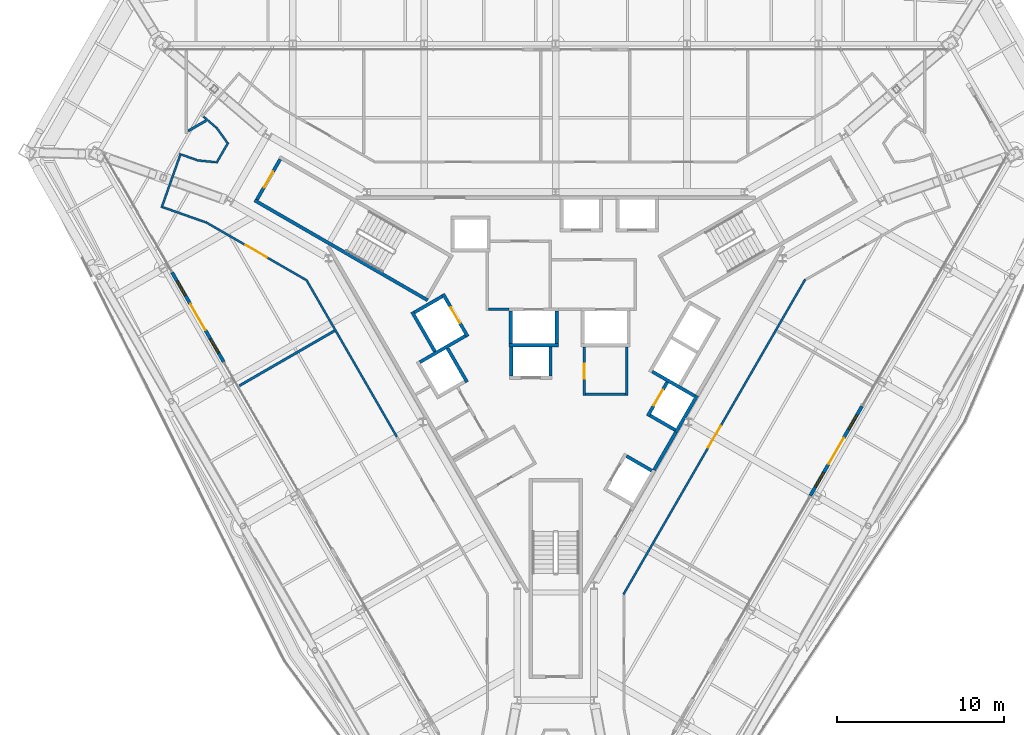
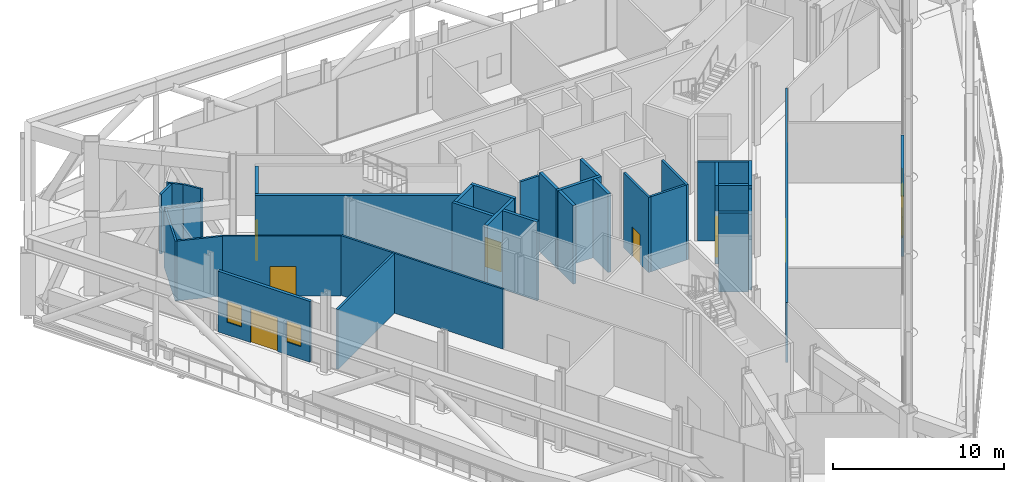
# One storey, part 17 of 26: 36 walls, 8 doors, 4 windows, 12 openings.
"""IFC4 building model written with IfcOpenShell, lengths in metres."""

from ifc_helpers import new_model, si_unit, direction, frame, frame_2d, origin, place, context, subcontext, project, spatial, rectangle, extrude, material, layer, layer_set, type_object, element, fill, save


model = new_model("IFC4")

# Units and contexts
model_context = context("Model", 3, precision=1e-05, world=origin(), true_north=direction((0.0, 1.0)))
body_context = subcontext(model_context, "Body", "Model", "MODEL_VIEW")
ifc_project = project(units=[si_unit("LENGTHUNIT", "METRE"), si_unit("AREAUNIT", "SQUARE_METRE"), si_unit("VOLUMEUNIT", "CUBIC_METRE"), si_unit("PLANEANGLEUNIT", "RADIAN"), si_unit("MASSUNIT", "GRAM", prefix="KILO")], contexts=[model_context])

# Site, building, storey
site_placement = place(None, origin())
site = spatial("IfcSite", under=ifc_project, at=site_placement, CompositionType="ELEMENT")
building_placement = place(site_placement, origin())
building = spatial("IfcBuilding", under=site, at=building_placement, Name="Verrane Prism Tower", CompositionType="ELEMENT")
storey_placement = place(building_placement, frame((0.0, 0.0, 87.199951171875)))
storey = spatial("IfcBuildingStorey", under=building, at=storey_placement, Name="L20", CompositionType="ELEMENT", Elevation=87.199951171875)

# Wall
ifc_material_1 = material(Name="Gypsum board partition", Category="other")
ifc_layer_1 = layer(ifc_material_1, 0.199951171875)
ifc_layer_set_1 = layer_set([ifc_layer_1], Name="CW-200 core boundary wall 2 h")
wall_type_1 = type_object("IfcWallType", Name="CW-200 core boundary wall 2 h", PredefinedType="PARTITIONING", material=ifc_layer_set_1)
wall_1_placement = place(storey_placement, frame((5.906005859375, -7.489990234375, 0.0), z_axis=(0.0, 0.0, 1.0), x_axis=(0.500252727967, 0.865879442048, 0.0)))
element("IfcWall", 1, at=wall_1_placement, inside=storey, type_object=wall_type_1, Name="Core boundary wall CW3-005", PredefinedType="PARTITIONING", context=body_context, shape_type="SweptSolid", body=[
    extrude(rectangle(XDim=2.616943359375, YDim=0.199951171875, at=frame_2d((1.30859375, 0.0))), origin(), (0.0, 0.0, 1.0), 5.35009765625),
])

# Wall, opening, door
ifc_material_2 = material(Name="Concrete C40/50", Category="concrete")
ifc_layer_2 = layer(ifc_material_2, 0.199951171875)
ifc_layer_set_2 = layer_set([ifc_layer_2], Name="CW-200 stair core wall concrete C40/50 3 h")
wall_type_2 = type_object("IfcWallType", Name="CW-200 stair core wall concrete C40/50 3 h", PredefinedType="PARTITIONING", material=ifc_layer_set_2)
wall_2_placement = place(storey_placement, frame((-16.533935546875, 11.162353515625, 0.0), z_axis=(0.0, 0.0, 1.0), x_axis=(-0.49998411664, -0.866034573852, 0.0)))
wall_2 = element("IfcWall", 2, at=wall_2_placement, inside=storey, type_object=wall_type_2, Name="Stair 2 enclosure wall", PredefinedType="PARTITIONING", context=body_context, shape_type="SweptSolid", body=[
    extrude(rectangle(XDim=2.7998046875, YDim=0.199951171875, at=frame_2d((1.39990234375, 0.0))), origin(), (0.0, 0.0, 1.0), 5.35009765625),
])
opening_1_placement = place(wall_2_placement, frame((0.849853515625, 0.0, 0.0)))
opening_1 = element("IfcOpeningElement", 3, at=opening_1_placement, cuts=wall_2, Name="Opening D20501", PredefinedType="OPENING", context=body_context, shape_type="SweptSolid", body=[
    extrude(rectangle(XDim=1.10009765625, YDim=2.10009765625, at=frame_2d((0.550048828125, 1.050048828125))), frame((0.0, 0.10986328125, 0.0), z_axis=(0.0, -1.0, 0.0), x_axis=(1.0, 0.0, 0.0)), (0.0, 0.0, 1.0), 0.219970703125),
])
ifc_material_3 = material(Name="Timber veneered door leaf", Category="wood")
door_type_1 = type_object("IfcDoorType", Name="DR-1100x2100 FD90 single leaf stair", OperationType="NOTDEFINED", PredefinedType="DOOR", material=ifc_material_3)
door_1_placement = place(opening_1_placement, origin())
door_1 = element("IfcDoor", 4, at=door_1_placement, inside=storey, type_object=door_type_1, Name="Stair 2 door", OperationType="SINGLE_SWING_RIGHT", OverallHeight=2.10009765625, OverallWidth=1.10009765625, PredefinedType="DOOR", context=body_context, shape_type="SweptSolid", body=[
    extrude(rectangle(XDim=1.10009765625, YDim=2.10009765625, at=frame_2d((0.550048828125, 1.050048828125))), frame((0.0, 0.02490234375, 0.0), z_axis=(0.0, -1.0, 0.0), x_axis=(1.0, 0.0, 0.0)), (0.0, 0.0, 1.0), 0.050048828125),
])
fill(opening_1, door_1)

# Walls
wall_3_placement = place(storey_placement, frame((-7.67822265625, 2.700927734375, 0.0), z_axis=(0.0, 0.0, 1.0), x_axis=(-0.866026010844, 0.49999894854, 0.0)))
element("IfcWall", 5, at=wall_3_placement, inside=storey, type_object=wall_type_2, Name="Stair 2 enclosure wall", PredefinedType="PARTITIONING", context=body_context, shape_type="SweptSolid", body=[
    extrude(rectangle(XDim=12.0, YDim=0.199951171875, at=frame_2d((6.0, 0.0))), origin(), (0.0, 0.0, 1.0), 5.35009765625),
])
ifc_material_4 = material(Name="Gypsum board shaft wall assembly", Category="other")
ifc_layer_3 = layer(ifc_material_4, 0.199951171875)
ifc_layer_set_3 = layer_set([ifc_layer_3], Name="HW-200 lift shaft wall 2 h")
wall_type_3 = type_object("IfcWallType", Name="HW-200 lift shaft wall 2 h", PredefinedType="PARTITIONING", material=ifc_layer_set_3)
wall_4_placement = place(storey_placement, frame((-2.784912109375, 0.0, 0.0), z_axis=(0.0, 0.0, 1.0), x_axis=(1.0, 0.0, 0.0)))
element("IfcWall", 6, at=wall_4_placement, inside=storey, type_object=wall_type_3, Name="Lift shaft wall", PredefinedType="PARTITIONING", context=body_context, shape_type="SweptSolid", body=[
    extrude(rectangle(XDim=2.949951171875, YDim=0.199951171875, at=frame_2d((1.47509765625, 0.0))), origin(), (0.0, 0.0, 1.0), 5.60009765625),
])
wall_5_placement = place(storey_placement, frame((-8.14453125, -1.012939453125, 0.0), z_axis=(0.0, 0.0, 1.0), x_axis=(0.866016494683, 0.500015430699, 0.0)))
element("IfcWall", 7, at=wall_5_placement, inside=storey, type_object=wall_type_3, Name="Lift shaft wall", PredefinedType="PARTITIONING", context=body_context, shape_type="SweptSolid", body=[
    extrude(rectangle(XDim=3.14990234375, YDim=0.199951171875, at=frame_2d((1.574951171875, 0.0))), origin(), (0.0, 0.0, 1.0), 5.60009765625),
])
wall_6_placement = place(storey_placement, frame((-8.48046875, 1.968505859375, 0.0), z_axis=(0.0, 0.0, 1.0), x_axis=(0.866000020948, 0.500043961785, 0.0)))
element("IfcWall", 8, at=wall_6_placement, inside=storey, type_object=wall_type_3, Name="Lift shaft wall", PredefinedType="PARTITIONING", context=body_context, shape_type="SweptSolid", body=[
    extrude(rectangle(XDim=1.949951171875, YDim=0.199951171875, at=frame_2d((0.97509765625, 0.0))), origin(), (0.0, 0.0, 1.0), 5.60009765625),
])
wall_7_placement = place(storey_placement, frame((7.215576171875, -5.222412109375, 0.0), z_axis=(0.0, 0.0, 1.0), x_axis=(0.499990435942, 0.866030925526, 0.0)))
element("IfcWall", 9, at=wall_7_placement, inside=storey, type_object=wall_type_3, Name="Lift shaft wall", PredefinedType="PARTITIONING", context=body_context, shape_type="SweptSolid", body=[
    extrude(rectangle(XDim=2.5498046875, YDim=0.199951171875, at=frame_2d((1.27490234375, 0.0))), origin(), (0.0, 0.0, 1.0), 5.60009765625),
])

# Wall, opening, door
wall_8_placement = place(storey_placement, frame((5.52685546875, -4.247314453125, 0.0), z_axis=(0.0, 0.0, 1.0), x_axis=(0.499938297808, 0.866061024631, 0.0)))
wall_8 = element("IfcWall", 10, at=wall_8_placement, inside=storey, type_object=wall_type_3, Name="Lift shaft wall", PredefinedType="PARTITIONING", context=body_context, shape_type="SweptSolid", body=[
    extrude(rectangle(XDim=2.349853515625, YDim=0.199951171875, at=frame_2d((1.1748046875, 0.0))), origin(), (0.0, 0.0, 1.0), 5.60009765625),
])
opening_2_placement = place(wall_8_placement, frame((0.72509765625, 0.0, 0.0)))
opening_2 = element("IfcOpeningElement", 11, at=opening_2_placement, cuts=wall_8, Name="Opening D20507", PredefinedType="OPENING", context=body_context, shape_type="SweptSolid", body=[
    extrude(rectangle(XDim=1.10009765625, YDim=2.10009765625, at=frame_2d((0.550048828125, 1.050048828125))), frame((0.0, 0.10986328125, 0.0), z_axis=(0.0, -1.0, 0.0), x_axis=(1.0, 0.0, 0.0)), (0.0, 0.0, 1.0), 0.219970703125),
])
ifc_material_5 = material(Name="Stainless steel sliding landing door", Category="steel")
door_type_2 = type_object("IfcDoorType", Name="LD-1100x2100 lift landing door FD90 sliding", OperationType="NOTDEFINED", PredefinedType="DOOR", material=ifc_material_5)
door_2_placement = place(opening_2_placement, origin())
door_2 = element("IfcDoor", 12, at=door_2_placement, inside=storey, type_object=door_type_2, Name="Bank A lift 5 landing door", OperationType="SLIDING_TO_LEFT", OverallHeight=2.10009765625, OverallWidth=1.10009765625, PredefinedType="DOOR", context=body_context, shape_type="SweptSolid", body=[
    extrude(rectangle(XDim=1.10009765625, YDim=2.10009765625, at=frame_2d((0.550048828125, 1.050048828125))), frame((0.0, 0.02490234375, 0.0), z_axis=(0.0, -1.0, 0.0), x_axis=(1.0, 0.0, 0.0)), (0.0, 0.0, 1.0), 0.050048828125),
])
fill(opening_2, door_2)

# Walls
wall_9_placement = place(storey_placement, frame((0.06494140625, 0.10009765625, 0.0), z_axis=(0.0, 0.0, 1.0), x_axis=(0.0, 1.0, 0.0)))
element("IfcWall", 13, at=wall_9_placement, inside=storey, type_object=wall_type_3, Name="Lift shaft wall", PredefinedType="PARTITIONING", context=body_context, shape_type="SweptSolid", body=[
    extrude(rectangle(XDim=1.949951171875, YDim=0.199951171875, at=frame_2d((0.97509765625, 0.0))), origin(), (0.0, 0.0, 1.0), 5.60009765625),
])
for number, where, z_axis, x_axis, name in (
    (14, (-0.304931640625, -1.85009765625, 0.0), (0.0, 0.0, 1.0), (0.0, 1.0, 0.0), "Lift shaft wall"),
    (15, (-2.655029296875, -1.85009765625, 0.0), (0.0, 0.0, 1.0), (0.0, 1.0, 0.0), "Lift shaft wall"),
):
    element("IfcWall", number, at=place(storey_placement, frame(where, z_axis=z_axis, x_axis=x_axis)), inside=storey, type_object=wall_type_3, Name=name, PredefinedType="PARTITIONING", context=body_context, shape_type="SweptSolid", body=[
        extrude(rectangle(XDim=1.75, YDim=0.199951171875, at=frame_2d((0.875, 0.0))), origin(), (0.0, 0.0, 1.0), 5.60009765625),
    ])
wall_10_placement = place(storey_placement, frame((-2.68505859375, 0.10009765625, 0.0), z_axis=(0.0, 0.0, 1.0), x_axis=(0.0, 1.0, 0.0)))
element("IfcWall", 16, at=wall_10_placement, inside=storey, type_object=wall_type_3, Name="Lift shaft wall", PredefinedType="PARTITIONING", context=body_context, shape_type="SweptSolid", body=[
    extrude(rectangle(XDim=1.949951171875, YDim=0.199951171875, at=frame_2d((0.97509765625, 0.0))), origin(), (0.0, 0.0, 1.0), 5.60009765625),
])

# Wall, opening, door
wall_11_placement = place(storey_placement, frame((-5.280029296875, 0.525390625, 0.0), z_axis=(0.0, 0.0, 1.0), x_axis=(-0.500037662692, 0.866003658127, 0.0)))
wall_11 = element("IfcWall", 17, at=wall_11_placement, inside=storey, type_object=wall_type_3, Name="Lift shaft wall", PredefinedType="PARTITIONING", context=body_context, shape_type="SweptSolid", body=[
    extrude(rectangle(XDim=2.949951171875, YDim=0.199951171875, at=frame_2d((1.47509765625, 0.0))), origin(), (0.0, 0.0, 1.0), 5.60009765625),
])
opening_3_placement = place(wall_11_placement, frame((0.925048828125, 0.0, 0.0)))
opening_3 = element("IfcOpeningElement", 18, at=opening_3_placement, cuts=wall_11, Name="Opening D20510", PredefinedType="OPENING", context=body_context, shape_type="SweptSolid", body=[
    extrude(rectangle(XDim=1.10009765625, YDim=2.10009765625, at=frame_2d((0.550048828125, 1.050048828125))), frame((0.0, 0.10986328125, 0.0), z_axis=(0.0, -1.0, 0.0), x_axis=(1.0, 0.0, 0.0)), (0.0, 0.0, 1.0), 0.219970703125),
])
door_3_placement = place(opening_3_placement, origin())
door_3 = element("IfcDoor", 19, at=door_3_placement, inside=storey, type_object=door_type_2, Name="Service lift 1 landing door", OperationType="SLIDING_TO_LEFT", OverallHeight=2.10009765625, OverallWidth=1.10009765625, PredefinedType="DOOR", context=body_context, shape_type="SweptSolid", body=[
    extrude(rectangle(XDim=1.10009765625, YDim=2.10009765625, at=frame_2d((0.550048828125, 1.050048828125))), frame((0.0, 0.02490234375, 0.0), z_axis=(0.0, -1.0, 0.0), x_axis=(1.0, 0.0, 0.0)), (0.0, 0.0, 1.0), 0.050048828125),
])
fill(opening_3, door_3)

# Walls
wall_12_placement = place(storey_placement, frame((-5.317626953125, -2.209716796875, 0.0), z_axis=(0.0, 0.0, 1.0), x_axis=(-0.499938297808, 0.866061024631, 0.0)))
element("IfcWall", 20, at=wall_12_placement, inside=storey, type_object=wall_type_3, Name="Lift shaft wall", PredefinedType="PARTITIONING", context=body_context, shape_type="SweptSolid", body=[
    extrude(rectangle(XDim=2.349853515625, YDim=0.199951171875, at=frame_2d((1.1748046875, 0.0))), origin(), (0.0, 0.0, 1.0), 5.60009765625),
])
wall_13_placement = place(storey_placement, frame((-7.241943359375, -0.37646484375, 0.0), z_axis=(0.0, 0.0, 1.0), x_axis=(-0.499996545922, 0.866027397988, 0.0)))
element("IfcWall", 21, at=wall_13_placement, inside=storey, type_object=wall_type_3, Name="Lift shaft wall", PredefinedType="PARTITIONING", context=body_context, shape_type="SweptSolid", body=[
    extrude(rectangle(XDim=2.75, YDim=0.199951171875, at=frame_2d((1.375, 0.0))), origin(), (0.0, 0.0, 1.0), 5.60009765625),
])
wall_14_placement = place(storey_placement, frame((8.35400390625, -3.050537109375, 0.0), z_axis=(0.0, 0.0, 1.0), x_axis=(-0.866060182126, 0.499939757307, 0.0)))
element("IfcWall", 22, at=wall_14_placement, inside=storey, type_object=wall_type_3, Name="Lift shaft wall", PredefinedType="PARTITIONING", context=body_context, shape_type="SweptSolid", body=[
    extrude(rectangle(XDim=2.949951171875, YDim=0.199951171875, at=frame_2d((1.47509765625, 0.0))), origin(), (0.0, 0.0, 1.0), 5.60009765625),
])
wall_15_placement = place(storey_placement, frame((7.178955078125, -5.085693359375, 0.0), z_axis=(0.0, 0.0, 1.0), x_axis=(-0.866036909293, 0.499980071345, 0.0)))
element("IfcWall", 23, at=wall_15_placement, inside=storey, type_object=wall_type_3, Name="Lift shaft wall", PredefinedType="PARTITIONING", context=body_context, shape_type="SweptSolid", body=[
    extrude(rectangle(XDim=1.75, YDim=0.199951171875, at=frame_2d((0.875, 0.0))), origin(), (0.0, 0.0, 1.0), 5.60009765625),
])
wall_16_placement = place(storey_placement, frame((5.768798828125, -7.528076171875, 0.0), z_axis=(0.0, 0.0, 1.0), x_axis=(-0.866002029911, 0.500040482552, 0.0)))
element("IfcWall", 24, at=wall_16_placement, inside=storey, type_object=wall_type_3, Name="Lift shaft wall", PredefinedType="PARTITIONING", context=body_context, shape_type="SweptSolid", body=[
    extrude(rectangle(XDim=1.749755859375, YDim=0.199951171875, at=frame_2d((0.875, 0.0))), origin(), (0.0, 0.0, 1.0), 5.60009765625),
])
ifc_material_6 = material(Name="Gypsum board partition", Category="other")
ifc_layer_4 = layer(ifc_material_6, 0.14990234375)
ifc_layer_set_4 = layer_set([ifc_layer_4], Name="LF-150 firefighting lobby wall 1 h")
wall_type_4 = type_object("IfcWallType", Name="LF-150 firefighting lobby wall 1 h", PredefinedType="PARTITIONING", material=ifc_layer_set_4)
wall_17_placement = place(storey_placement, frame((-4.02490234375, 2.159912109375, 0.0), z_axis=(0.0, 0.0, 1.0), x_axis=(1.0, 0.0, 0.0)))
element("IfcWall", 25, at=wall_17_placement, inside=storey, type_object=wall_type_4, Name="Firefighting lobby wall LF1-002", PredefinedType="PARTITIONING", context=body_context, shape_type="SweptSolid", body=[
    extrude(rectangle(XDim=1.23779296875, YDim=0.14990234375, at=frame_2d((0.618896484375, 0.0))), origin(), (0.0, 0.0, 1.0), 5.35009765625),
])
ifc_material_7 = material(Name="Gypsum board partition", Category="other")
ifc_layer_5 = layer(ifc_material_7, 0.125)
ifc_layer_set_5 = layer_set([ifc_layer_5], Name="PW-125 corridor wall 1 h")
wall_type_5 = type_object("IfcWallType", Name="PW-125 corridor wall 1 h", PredefinedType="PARTITIONING", material=ifc_layer_set_5)
wall_18_placement = place(storey_placement, frame((-23.65380859375, 8.25, 0.0), z_axis=(0.0, 0.0, 1.0), x_axis=(0.332735538655, 0.943020180757, 0.0)))
element("IfcWall", 26, at=wall_18_placement, inside=storey, type_object=wall_type_5, Name="Corridor wall 001", PredefinedType="PARTITIONING", context=body_context, shape_type="SweptSolid", body=[
    extrude(rectangle(XDim=3.472900390625, YDim=0.125, at=frame_2d((1.736328125, 0.0))), origin(), (0.0, 0.0, 1.0), 4.261962890625),
])
wall_19_placement = place(storey_placement, frame((-23.57177734375, 8.287353515625, 0.0), z_axis=(0.0, 0.0, 1.0), x_axis=(0.942973633361, -0.332867431249, 0.0)))
element("IfcWall", 27, at=wall_19_placement, inside=storey, type_object=wall_type_5, Name="Corridor wall 002", PredefinedType="PARTITIONING", context=body_context, shape_type="SweptSolid", body=[
    extrude(rectangle(XDim=2.698974609375, YDim=0.125, at=frame_2d((1.349609375, 0.0))), origin(), (0.0, 0.0, 1.0), 4.261962890625),
])
wall_20_placement = place(storey_placement, frame((-22.457763671875, 11.4443359375, 0.0), z_axis=(0.0, 0.0, 1.0), x_axis=(0.942994942742, -0.332807058161, 0.0)))
element("IfcWall", 28, at=wall_20_placement, inside=storey, type_object=wall_type_5, Name="Corridor wall 003", PredefinedType="PARTITIONING", context=body_context, shape_type="SweptSolid", body=[
    extrude(rectangle(XDim=0.977783203125, YDim=0.125, at=frame_2d((0.48876953125, 0.0))), origin(), (0.0, 0.0, 1.0), 4.261962890625),
])
wall_21_placement = place(storey_placement, frame((-21.527099609375, 11.100341796875, 0.0), z_axis=(0.0, 0.0, 1.0), x_axis=(0.994917271195, -0.100695697415, 0.0)))
element("IfcWall", 29, at=wall_21_placement, inside=storey, type_object=wall_type_5, Name="Corridor wall 006", PredefinedType="PARTITIONING", context=body_context, shape_type="SweptSolid", body=[
    extrude(rectangle(XDim=1.115234375, YDim=0.125, at=frame_2d((0.5576171875, 0.0))), origin(), (0.0, 0.0, 1.0), 4.261962890625),
])
wall_22_placement = place(storey_placement, frame((-21.138671875, 13.724609375, 0.0), z_axis=(0.0, 0.0, 1.0), x_axis=(0.759679514404, -0.650297651383, 0.0)))
element("IfcWall", 30, at=wall_22_placement, inside=storey, type_object=wall_type_5, Name="Corridor wall 007", PredefinedType="PARTITIONING", context=body_context, shape_type="SweptSolid", body=[
    extrude(rectangle(XDim=0.9775390625, YDim=0.125, at=frame_2d((0.48876953125, 0.0))), origin(), (0.0, 0.0, 1.0), 4.261962890625),
])

# Wall, opening, door
wall_23_placement = place(storey_placement, frame((-15.021728515625, 3.9443359375, 0.0), z_axis=(0.0, 0.0, 1.0), x_axis=(-0.866435403895, 0.49928918562, 0.0)))
wall_23 = element("IfcWall", 31, at=wall_23_placement, inside=storey, type_object=wall_type_5, Name="Corridor wall 009", PredefinedType="PARTITIONING", context=body_context, shape_type="SweptSolid", body=[
    extrude(rectangle(XDim=6.91162109375, YDim=0.125, at=frame_2d((3.455810546875, 0.0))), origin(), (0.0, 0.0, 1.0), 4.261962890625),
])
opening_4_placement = place(wall_23_placement, frame((2.649169921875, 0.0, 0.0)))
opening_4 = element("IfcOpeningElement", 32, at=opening_4_placement, cuts=wall_23, Name="Opening D20006", PredefinedType="OPENING", context=body_context, shape_type="SweptSolid", body=[
    extrude(rectangle(XDim=1.5, YDim=2.10009765625, at=frame_2d((0.75, 1.050048828125))), frame((0.0, 0.072509765625, 0.0), z_axis=(0.0, -1.0, 0.0), x_axis=(1.0, 0.0, 0.0)), (0.0, 0.0, 1.0), 0.14501953125),
])
ifc_material_8 = material(Name="Timber veneered door leaf", Category="wood")
door_type_3 = type_object("IfcDoorType", Name="DR-1500x2100 FD60 double leaf unit", OperationType="NOTDEFINED", PredefinedType="DOOR", material=ifc_material_8)
door_4_placement = place(opening_4_placement, origin())
door_4 = element("IfcDoor", 33, at=door_4_placement, inside=storey, type_object=door_type_3, Name="Refuge Area door", OperationType="DOUBLE_DOOR_SINGLE_SWING", OverallHeight=2.10009765625, OverallWidth=1.5, PredefinedType="DOOR", context=body_context, shape_type="SweptSolid", body=[
    extrude(rectangle(XDim=1.5, YDim=2.10009765625, at=frame_2d((0.75, 1.050048828125))), frame((0.0, 0.02490234375, 0.0), z_axis=(0.0, -1.0, 0.0), x_axis=(1.0, 0.0, 0.0)), (0.0, 0.0, 1.0), 0.050048828125),
])
fill(opening_4, door_4)

# Walls
wall_24_placement = place(storey_placement, frame((-20.37548828125, 13.0908203125, 0.0), z_axis=(0.0, 0.0, 1.0), x_axis=(0.584241196602, -0.811580078731, 0.0)))
element("IfcWall", 34, at=wall_24_placement, inside=storey, type_object=wall_type_5, Name="Corridor wall 010", PredefinedType="PARTITIONING", context=body_context, shape_type="SweptSolid", body=[
    extrude(rectangle(XDim=1.113525390625, YDim=0.125, at=frame_2d((0.556640625, 0.0))), origin(), (0.0, 0.0, 1.0), 4.261962890625),
])
wall_25_placement = place(storey_placement, frame((-20.369384765625, 10.92578125, 0.0), z_axis=(0.0, 0.0, 1.0), x_axis=(0.500429691499, 0.865777179109, 0.0)))
element("IfcWall", 35, at=wall_25_placement, inside=storey, type_object=wall_type_5, Name="Corridor wall 011", PredefinedType="PARTITIONING", context=body_context, shape_type="SweptSolid", body=[
    extrude(rectangle(XDim=1.444091796875, YDim=0.125, at=frame_2d((0.72216796875, 0.0))), origin(), (0.0, 0.0, 1.0), 4.261962890625),
])
wall_26_placement = place(storey_placement, frame((-14.979248046875, 3.9560546875, 0.0), z_axis=(0.0, 0.0, 1.0), x_axis=(0.499335058772, -0.866408967568, 0.0)))
element("IfcWall", 36, at=wall_26_placement, inside=storey, type_object=wall_type_5, Name="Corridor wall 015", PredefinedType="PARTITIONING", context=body_context, shape_type="SweptSolid", body=[
    extrude(rectangle(XDim=10.912841796875, YDim=0.125, at=frame_2d((5.45654296875, 0.0))), origin(), (0.0, 0.0, 1.0), 4.261962890625),
])

# Wall, opening, door
wall_27_placement = place(storey_placement, frame((14.979248046875, 3.9560546875, 0.0), z_axis=(0.0, 0.0, 1.0), x_axis=(-0.499707610415, -0.866194149191, 0.0)))
wall_27 = element("IfcWall", 37, at=wall_27_placement, inside=storey, type_object=wall_type_5, Name="Corridor wall 033", PredefinedType="PARTITIONING", context=body_context, shape_type="SweptSolid", body=[
    extrude(rectangle(XDim=21.83349609375, YDim=0.125, at=frame_2d((10.916748046875, 0.0))), origin(), (0.0, 0.0, 1.0), 4.261962890625),
])
opening_5_placement = place(wall_27_placement, frame((10.15625, 0.0, 0.0)))
opening_5 = element("IfcOpeningElement", 38, at=opening_5_placement, cuts=wall_27, Name="Opening D20010", PredefinedType="OPENING", context=body_context, shape_type="SweptSolid", body=[
    extrude(rectangle(XDim=1.5, YDim=2.10009765625, at=frame_2d((0.75, 1.050048828125))), frame((0.0, 0.072509765625, 0.0), z_axis=(0.0, -1.0, 0.0), x_axis=(1.0, 0.0, 0.0)), (0.0, 0.0, 1.0), 0.14501953125),
])
door_5_placement = place(opening_5_placement, origin())
door_5 = element("IfcDoor", 39, at=door_5_placement, inside=storey, type_object=door_type_3, Name="Refuge Area door", OperationType="DOUBLE_DOOR_SINGLE_SWING", OverallHeight=2.10009765625, OverallWidth=1.5, PredefinedType="DOOR", context=body_context, shape_type="SweptSolid", body=[
    extrude(rectangle(XDim=1.5, YDim=2.10009765625, at=frame_2d((0.75, 1.050048828125))), frame((0.0, 0.02490234375, 0.0), z_axis=(0.0, -1.0, 0.0), x_axis=(1.0, 0.0, 0.0)), (0.0, 0.0, 1.0), 0.050048828125),
])
fill(opening_5, door_5)

# Walls
ifc_material_9 = material(Name="Gypsum board partition", Category="other")
ifc_layer_6 = layer(ifc_material_9, 0.14990234375)
ifc_layer_set_6 = layer_set([ifc_layer_6], Name="PW-150 demising wall 1 h")
wall_type_6 = type_object("IfcWallType", Name="PW-150 demising wall 1 h", PredefinedType="PARTITIONING", material=ifc_layer_set_6)
wall_28_placement = place(storey_placement, frame((-22.055419921875, 12.864013671875, 0.0), z_axis=(0.0, 0.0, 1.0), x_axis=(0.86601746898, 0.500013743233, 0.0)))
element("IfcWall", 40, at=wall_28_placement, inside=storey, type_object=wall_type_6, Name="Demising wall 005", PredefinedType="PARTITIONING", context=body_context, shape_type="SweptSolid", body=[
    extrude(rectangle(XDim=1.2333984375, YDim=0.14990234375, at=frame_2d((0.61669921875, 0.0))), origin(), (0.0, 0.0, 1.0), 4.261962890625),
])
wall_29_placement = place(storey_placement, frame((-18.984619140625, -2.427734375, 0.0), z_axis=(0.0, 0.0, 1.0), x_axis=(0.866064687971, 0.499931951619, 0.0)))
element("IfcWall", 41, at=wall_29_placement, inside=storey, type_object=wall_type_6, Name="Demising wall 013", PredefinedType="PARTITIONING", context=body_context, shape_type="SweptSolid", body=[
    extrude(rectangle(XDim=6.5908203125, YDim=0.14990234375, at=frame_2d((3.29541015625, 0.0))), origin(), (0.0, 0.0, 1.0), 4.261962890625),
])

# Wall, opening, door
ifc_material_10 = material(Name="Gypsum board partition", Category="other")
ifc_layer_7 = layer(ifc_material_10, 0.14990234375)
ifc_layer_set_7 = layer_set([ifc_layer_7], Name="RS-150 riser enclosure wall 1 h")
wall_type_7 = type_object("IfcWallType", Name="RS-150 riser enclosure wall 1 h", PredefinedType="PARTITIONING", material=ifc_layer_set_7)
wall_30_placement = place(storey_placement, frame((1.72509765625, -0.10205078125, 0.0), z_axis=(0.0, 0.0, 1.0), x_axis=(0.0, -1.0, 0.0)))
wall_30 = element("IfcWall", 42, at=wall_30_placement, inside=storey, type_object=wall_type_7, Name="Riser wall RS3-008", PredefinedType="PARTITIONING", context=body_context, shape_type="SweptSolid", body=[
    extrude(rectangle(XDim=2.9228515625, YDim=0.14990234375, at=frame_2d((1.46142578125, 0.0))), origin(), (0.0, 0.0, 1.0), 5.35009765625),
])
opening_6_placement = place(wall_30_placement, frame((0.998046875, 0.0, 0.0)))
opening_6 = element("IfcOpeningElement", 43, at=opening_6_placement, cuts=wall_30, Name="Opening D20518", PredefinedType="OPENING", context=body_context, shape_type="SweptSolid", body=[
    extrude(rectangle(XDim=0.89990234375, YDim=2.10009765625, at=frame_2d((0.449951171875, 1.050048828125))), frame((0.0, 0.0849609375, 0.0), z_axis=(0.0, -1.0, 0.0), x_axis=(1.0, 0.0, 0.0)), (0.0, 0.0, 1.0), 0.169921875),
])
ifc_material_11 = material(Name="Timber veneered door leaf", Category="wood")
door_type_4 = type_object("IfcDoorType", Name="DR-900x2100 FD20 single leaf store", OperationType="NOTDEFINED", PredefinedType="DOOR", material=ifc_material_11)
door_6_placement = place(opening_6_placement, origin())
door_6 = element("IfcDoor", 44, at=door_6_placement, inside=storey, type_object=door_type_4, Name="Room door D20518", OperationType="SINGLE_SWING_LEFT", OverallHeight=2.10009765625, OverallWidth=0.89990234375, PredefinedType="DOOR", context=body_context, shape_type="SweptSolid", body=[
    extrude(rectangle(XDim=0.89990234375, YDim=2.10009765625, at=frame_2d((0.449951171875, 1.050048828125))), frame((0.0, 0.02490234375, 0.0), z_axis=(0.0, -1.0, 0.0), x_axis=(1.0, 0.0, 0.0)), (0.0, 0.0, 1.0), 0.050048828125),
])
fill(opening_6, door_6)

# Walls
wall_31_placement = place(storey_placement, frame((1.800048828125, -2.949951171875, 0.0), z_axis=(0.0, 0.0, 1.0), x_axis=(1.0, 0.0, 0.0)))
element("IfcWall", 45, at=wall_31_placement, inside=storey, type_object=wall_type_7, Name="Riser wall RS3-009", PredefinedType="PARTITIONING", context=body_context, shape_type="SweptSolid", body=[
    extrude(rectangle(XDim=2.39990234375, YDim=0.14990234375, at=frame_2d((1.199951171875, 0.0))), origin(), (0.0, 0.0, 1.0), 5.35009765625),
])
wall_32_placement = place(storey_placement, frame((4.27490234375, -3.02490234375, 0.0), z_axis=(0.0, 0.0, 1.0), x_axis=(0.0, 1.0, 0.0)))
element("IfcWall", 46, at=wall_32_placement, inside=storey, type_object=wall_type_7, Name="Riser wall RS3-010", PredefinedType="PARTITIONING", context=body_context, shape_type="SweptSolid", body=[
    extrude(rectangle(XDim=2.9228515625, YDim=0.14990234375, at=frame_2d((1.46142578125, 0.0))), origin(), (0.0, 0.0, 1.0), 5.35009765625),
])

# Wall, openings, door, windows
ifc_material_12 = material(Name="Aluminium framed insulated glazing", Category="aluminium")
ifc_layer_8 = layer(ifc_material_12, 0.199951171875)
ifc_layer_set_8 = layer_set([ifc_layer_8], Name="Refuge screen wall 200")
wall_type_8 = type_object("IfcWallType", Name="Refuge screen wall 200", PredefinedType="SOLIDWALL", material=ifc_layer_set_8)
wall_33_placement = place(storey_placement, frame((-23.021728515625, 4.372802734375, 0.0), z_axis=(0.0, 0.0, 1.0), x_axis=(0.500009909098, -0.866019682689, 0.0)))
wall_33 = element("IfcWall", 47, at=wall_33_placement, inside=storey, type_object=wall_type_8, Name="Refuge screen wall south-west face L20", PredefinedType="SOLIDWALL", context=body_context, shape_type="SweptSolid", body=[
    extrude(rectangle(XDim=6.199951171875, YDim=0.199951171875, at=frame_2d((3.10009765625, 0.0))), origin(), (0.0, 0.0, 1.0), 4.322509765625),
])
opening_7_placement = place(wall_33_placement, frame((0.60009765625, 0.0, 0.89990234375)))
opening_7 = element("IfcOpeningElement", 48, at=opening_7_placement, cuts=wall_33, Name="Opening W20703", PredefinedType="OPENING", context=body_context, shape_type="SweptSolid", body=[
    extrude(rectangle(XDim=1.0, YDim=1.5, at=frame_2d((0.5, 0.75))), frame((0.0, 0.10986328125, 0.0), z_axis=(0.0, -1.0, 0.0), x_axis=(1.0, 0.0, 0.0)), (0.0, 0.0, 1.0), 0.219970703125),
])
opening_8_placement = place(wall_33_placement, frame((2.199951171875, 0.0, 0.0)))
opening_8 = element("IfcOpeningElement", 49, at=opening_8_placement, cuts=wall_33, Name="Opening D20703", PredefinedType="OPENING", context=body_context, shape_type="SweptSolid", body=[
    extrude(rectangle(XDim=1.800048828125, YDim=2.39990234375, at=frame_2d((0.89990234375, 1.199951171875))), frame((0.0, 0.10986328125, 0.0), z_axis=(0.0, -1.0, 0.0), x_axis=(1.0, 0.0, 0.0)), (0.0, 0.0, 1.0), 0.219970703125),
])
opening_9_placement = place(wall_33_placement, frame((4.60009765625, 0.0, 0.89990234375)))
opening_9 = element("IfcOpeningElement", 50, at=opening_9_placement, cuts=wall_33, Name="Opening W20704", PredefinedType="OPENING", context=body_context, shape_type="SweptSolid", body=[
    extrude(rectangle(XDim=1.0, YDim=1.5, at=frame_2d((0.5, 0.75))), frame((0.0, 0.10986328125, 0.0), z_axis=(0.0, -1.0, 0.0), x_axis=(1.0, 0.0, 0.0)), (0.0, 0.0, 1.0), 0.219970703125),
])
ifc_material_13 = material(Name="Aluminium framed glazing", Category="aluminium")
door_type_5 = type_object("IfcDoorType", Name="DR-1800x2400 double glazed garden door", OperationType="DOUBLE_DOOR_SINGLE_SWING", PredefinedType="DOOR", material=ifc_material_13)
door_7_placement = place(opening_8_placement, frame((1.800048828125, 0.0, 0.0), z_axis=(0.0, 0.0, 1.0), x_axis=(-1.0, 0.0, 0.0)))
door_7 = element("IfcDoor", 51, at=door_7_placement, inside=storey, type_object=door_type_5, Name="Refuge terrace door D20703", OperationType="DOUBLE_DOOR_SINGLE_SWING", OverallHeight=2.39990234375, OverallWidth=1.800048828125, PredefinedType="DOOR", context=body_context, shape_type="SweptSolid", body=[
    extrude(rectangle(XDim=1.800048828125, YDim=2.39990234375, at=frame_2d((0.89990234375, 1.199951171875))), frame((0.0, 0.02490234375, 0.0), z_axis=(0.0, -1.0, 0.0), x_axis=(1.0, 0.0, 0.0)), (0.0, 0.0, 1.0), 0.050048828125),
])
fill(opening_8, door_7)
ifc_material_14 = material(Name="Aluminium framed glazing", Category="aluminium")
window_type = type_object("IfcWindowType", Name="Vent window 1000x1500 top hung", PartitioningType="SINGLE_PANEL", PredefinedType="WINDOW", material=ifc_material_14)
window_1_placement = place(opening_7_placement, origin())
window_1 = element("IfcWindow", 52, at=window_1_placement, inside=storey, type_object=window_type, Name="Vent window W20703", OverallHeight=1.5, OverallWidth=1.0, PartitioningType="SINGLE_PANEL", PredefinedType="WINDOW", context=body_context, shape_type="SweptSolid", body=[
    extrude(rectangle(XDim=1.0, YDim=1.5, at=frame_2d((0.5, 0.75))), frame((0.0, 0.030029296875, 0.0), z_axis=(0.0, -1.0, 0.0), x_axis=(1.0, 0.0, 0.0)), (0.0, 0.0, 1.0), 0.06005859375),
])
fill(opening_7, window_1)
window_2_placement = place(opening_9_placement, origin())
window_2 = element("IfcWindow", 53, at=window_2_placement, inside=storey, type_object=window_type, Name="Vent window W20704", OverallHeight=1.5, OverallWidth=1.0, PartitioningType="SINGLE_PANEL", PredefinedType="WINDOW", context=body_context, shape_type="SweptSolid", body=[
    extrude(rectangle(XDim=1.0, YDim=1.5, at=frame_2d((0.5, 0.75))), frame((0.0, 0.030029296875, 0.0), z_axis=(0.0, -1.0, 0.0), x_axis=(1.0, 0.0, 0.0)), (0.0, 0.0, 1.0), 0.06005859375),
])
fill(opening_9, window_2)

wall_34_placement = place(storey_placement, frame((15.286865234375, -9.024658203125, 0.0), z_axis=(0.0, 0.0, 1.0), x_axis=(0.49998037582, 0.866036733513, 0.0)))
wall_34 = element("IfcWall", 54, at=wall_34_placement, inside=storey, type_object=wall_type_8, Name="Refuge screen wall south-east face L20", PredefinedType="SOLIDWALL", context=body_context, shape_type="SweptSolid", body=[
    extrude(rectangle(XDim=6.199951171875, YDim=0.199951171875, at=frame_2d((3.10009765625, 0.0))), origin(), (0.0, 0.0, 1.0), 4.322509765625),
])
opening_10_placement = place(wall_34_placement, frame((0.60009765625, 0.0, 0.89990234375)))
opening_10 = element("IfcOpeningElement", 55, at=opening_10_placement, cuts=wall_34, Name="Opening W20711", PredefinedType="OPENING", context=body_context, shape_type="SweptSolid", body=[
    extrude(rectangle(XDim=1.0, YDim=1.5, at=frame_2d((0.5, 0.75))), frame((0.0, 0.10986328125, 0.0), z_axis=(0.0, -1.0, 0.0), x_axis=(1.0, 0.0, 0.0)), (0.0, 0.0, 1.0), 0.219970703125),
])
opening_11_placement = place(wall_34_placement, frame((2.199951171875, 0.0, 0.0)))
opening_11 = element("IfcOpeningElement", 56, at=opening_11_placement, cuts=wall_34, Name="Opening D20707", PredefinedType="OPENING", context=body_context, shape_type="SweptSolid", body=[
    extrude(rectangle(XDim=1.800048828125, YDim=2.39990234375, at=frame_2d((0.89990234375, 1.199951171875))), frame((0.0, 0.10986328125, 0.0), z_axis=(0.0, -1.0, 0.0), x_axis=(1.0, 0.0, 0.0)), (0.0, 0.0, 1.0), 0.219970703125),
])
opening_12_placement = place(wall_34_placement, frame((4.60009765625, 0.0, 0.89990234375)))
opening_12 = element("IfcOpeningElement", 57, at=opening_12_placement, cuts=wall_34, Name="Opening W20712", PredefinedType="OPENING", context=body_context, shape_type="SweptSolid", body=[
    extrude(rectangle(XDim=1.0, YDim=1.5, at=frame_2d((0.5, 0.75))), frame((0.0, 0.10986328125, 0.0), z_axis=(0.0, -1.0, 0.0), x_axis=(1.0, 0.0, 0.0)), (0.0, 0.0, 1.0), 0.219970703125),
])
door_8_placement = place(opening_11_placement, frame((1.800048828125, 0.0, 0.0), z_axis=(0.0, 0.0, 1.0), x_axis=(-1.0, 0.0, 0.0)))
door_8 = element("IfcDoor", 58, at=door_8_placement, inside=storey, type_object=door_type_5, Name="Refuge terrace door D20707", OperationType="DOUBLE_DOOR_SINGLE_SWING", OverallHeight=2.39990234375, OverallWidth=1.800048828125, PredefinedType="DOOR", context=body_context, shape_type="SweptSolid", body=[
    extrude(rectangle(XDim=1.800048828125, YDim=2.39990234375, at=frame_2d((0.89990234375, 1.199951171875))), frame((0.0, 0.02490234375, 0.0), z_axis=(0.0, -1.0, 0.0), x_axis=(1.0, 0.0, 0.0)), (0.0, 0.0, 1.0), 0.050048828125),
])
fill(opening_11, door_8)
window_3_placement = place(opening_10_placement, origin())
window_3 = element("IfcWindow", 59, at=window_3_placement, inside=storey, type_object=window_type, Name="Vent window W20711", OverallHeight=1.5, OverallWidth=1.0, PartitioningType="SINGLE_PANEL", PredefinedType="WINDOW", context=body_context, shape_type="SweptSolid", body=[
    extrude(rectangle(XDim=1.0, YDim=1.5, at=frame_2d((0.5, 0.75))), frame((0.0, 0.030029296875, 0.0), z_axis=(0.0, -1.0, 0.0), x_axis=(1.0, 0.0, 0.0)), (0.0, 0.0, 1.0), 0.06005859375),
])
fill(opening_10, window_3)
window_4_placement = place(opening_12_placement, origin())
window_4 = element("IfcWindow", 60, at=window_4_placement, inside=storey, type_object=window_type, Name="Vent window W20712", OverallHeight=1.5, OverallWidth=1.0, PartitioningType="SINGLE_PANEL", PredefinedType="WINDOW", context=body_context, shape_type="SweptSolid", body=[
    extrude(rectangle(XDim=1.0, YDim=1.5, at=frame_2d((0.5, 0.75))), frame((0.0, 0.030029296875, 0.0), z_axis=(0.0, -1.0, 0.0), x_axis=(1.0, 0.0, 0.0)), (0.0, 0.0, 1.0), 0.06005859375),
])
fill(opening_12, window_4)

save(model, "model.ifc")
